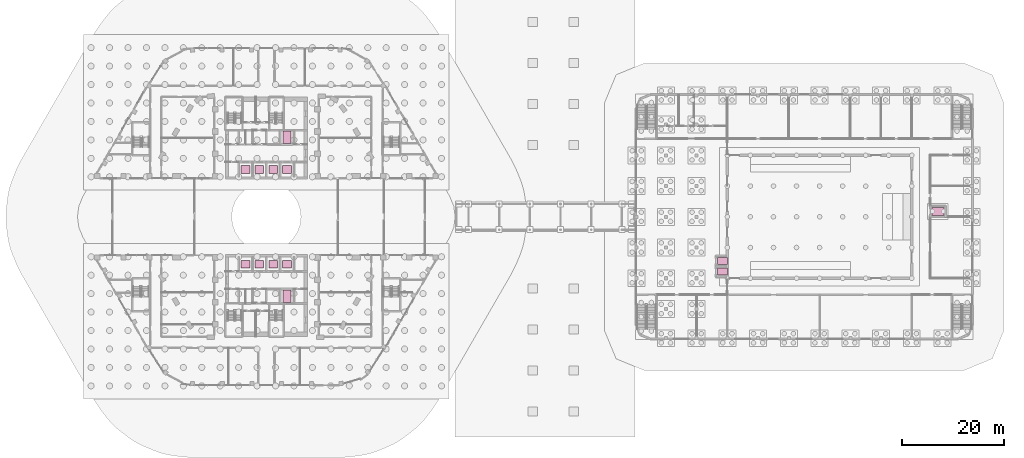
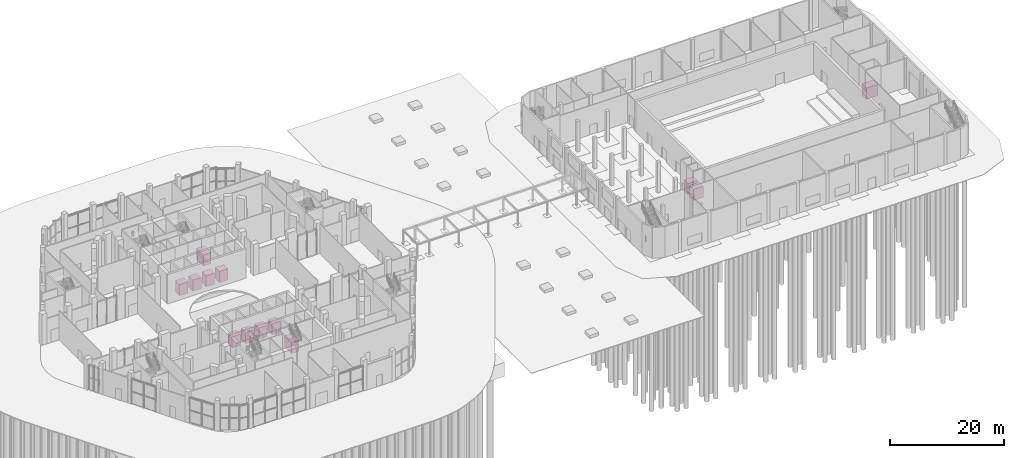
# One storey, part 44 of 44: 13 transport elements.
"""IFC4 building model written with IfcOpenShell, lengths in metres."""

from ifc_helpers import new_model, si_unit, direction, frame, origin, origin_2d, place, context, subcontext, project, spatial, rectangle, extrude, material, type_object, element, save


model = new_model("IFC4")

# Units and contexts
model_context = context("Model", 3, precision=1e-05, world=origin(), true_north=direction((0.0, 1.0)))
body_context = subcontext(model_context, "Body", "Model", "MODEL_VIEW")
ifc_project = project(units=[si_unit("LENGTHUNIT", "METRE"), si_unit("AREAUNIT", "SQUARE_METRE"), si_unit("VOLUMEUNIT", "CUBIC_METRE"), si_unit("PLANEANGLEUNIT", "RADIAN"), si_unit("MASSUNIT", "GRAM", prefix="KILO")], contexts=[model_context])

# Site, building, storey
site_placement = place(None, origin())
site = spatial("IfcSite", under=ifc_project, at=site_placement, CompositionType="ELEMENT")
building_placement = place(site_placement, origin())
building = spatial("IfcBuilding", under=site, at=building_placement, Name="Nakaniwa Court", CompositionType="ELEMENT")
storey_placement = place(building_placement, origin())
storey = spatial("IfcBuildingStorey", under=building, at=storey_placement, Name="L00", CompositionType="ELEMENT", Elevation=0.0)

# Transport elements
ifc_material_1 = material(Name="Stainless steel firefighters lift car", Category="steel")
transport_element_type_1 = type_object("IfcTransportElementType", Name="Firefighting lift car 1600x2400", PredefinedType="ELEVATOR", material=ifc_material_1)
for number, where, z_axis, x_axis, name in (
    (1, (84.050048828125, 95.5, 0.0), (0.0, 0.0, 1.0), (1.0, 0.0, 0.0), "FF-N"),
    (2, (84.050048828125, 64.5, 0.0), (0.0, 0.0, 1.0), (1.0, 0.0, 0.0), "FF-S"),
):
    element("IfcTransportElement", number, at=place(storey_placement, frame(where, z_axis=z_axis, x_axis=x_axis)), inside=storey, type_object=transport_element_type_1, Name=name, PredefinedType="ELEVATOR", context=body_context, shape_type="SweptSolid", body=[
        extrude(rectangle(XDim=1.60009765625, YDim=2.39990234375, at=origin_2d()), origin(), (0.0, 0.0, 1.0), 2.39990234375),
    ])
ifc_material_2 = material(Name="Stainless steel goods lift car", Category="steel")
transport_element_type_2 = type_object("IfcTransportElementType", Name="Hall goods lift 1600x2400", PredefinedType="ELEVATOR", material=ifc_material_2)
transport_element_placement = place(storey_placement, frame((211.10009765625, 81.050048828125, 0.0), z_axis=(0.0, 0.0, 1.0), x_axis=(1.0, 0.0, 0.0)))
element("IfcTransportElement", 3, at=transport_element_placement, inside=storey, type_object=transport_element_type_2, Name="HL3", PredefinedType="ELEVATOR", context=body_context, shape_type="SweptSolid", body=[
    extrude(rectangle(XDim=2.39990234375, YDim=1.60009765625, at=origin_2d()), origin(), (0.0, 0.0, 1.0), 2.39990234375),
])
ifc_material_3 = material(Name="Brushed stainless steel and timber lift car", Category="steel")
transport_element_type_3 = type_object("IfcTransportElementType", Name="Hall passenger lift 1400x2000", PredefinedType="ELEVATOR", material=ifc_material_3)
for number, where, z_axis, x_axis, name in (
    (4, (169.050048828125, 69.300048828125, 0.0), (0.0, 0.0, 1.0), (1.0, 0.0, 0.0), "HL1"),
    (5, (169.050048828125, 71.35009765625, 0.0), (0.0, 0.0, 1.0), (1.0, 0.0, 0.0), "HL2"),
):
    element("IfcTransportElement", number, at=place(storey_placement, frame(where, z_axis=z_axis, x_axis=x_axis)), inside=storey, type_object=transport_element_type_3, Name=name, PredefinedType="ELEVATOR", context=body_context, shape_type="SweptSolid", body=[
        extrude(rectangle(XDim=2.0, YDim=1.39990234375, at=origin_2d()), origin(), (0.0, 0.0, 1.0), 2.39990234375),
    ])
ifc_material_4 = material(Name="Brushed stainless steel and black glass lift car", Category="steel")
transport_element_type_4 = type_object("IfcTransportElementType", Name="Passenger lift car 1700x1500", PredefinedType="ELEVATOR", material=ifc_material_4)
for number, where, z_axis, x_axis, name in (
    (6, (75.949951171875, 89.25, 0.0), (0.0, 0.0, 1.0), (1.0, 0.0, 0.0), "LR1-N"),
    (7, (78.64990234375, 89.25, 0.0), (0.0, 0.0, 1.0), (1.0, 0.0, 0.0), "LR2-N"),
    (8, (81.35009765625, 89.25, 0.0), (0.0, 0.0, 1.0), (1.0, 0.0, 0.0), "LR3-N"),
    (9, (84.050048828125, 89.25, 0.0), (0.0, 0.0, 1.0), (1.0, 0.0, 0.0), "SH-N"),
    (10, (75.949951171875, 70.75, 0.0), (0.0, 0.0, 1.0), (1.0, 0.0, 0.0), "LR1-S"),
    (11, (78.64990234375, 70.75, 0.0), (0.0, 0.0, 1.0), (1.0, 0.0, 0.0), "LR2-S"),
    (12, (81.35009765625, 70.75, 0.0), (0.0, 0.0, 1.0), (1.0, 0.0, 0.0), "LR3-S"),
    (13, (84.050048828125, 70.75, 0.0), (0.0, 0.0, 1.0), (1.0, 0.0, 0.0), "SH-S"),
):
    element("IfcTransportElement", number, at=place(storey_placement, frame(where, z_axis=z_axis, x_axis=x_axis)), inside=storey, type_object=transport_element_type_4, Name=name, PredefinedType="ELEVATOR", context=body_context, shape_type="SweptSolid", body=[
        extrude(rectangle(XDim=1.699951171875, YDim=1.5, at=origin_2d()), origin(), (0.0, 0.0, 1.0), 2.39990234375),
    ])

save(model, "model.ifc")
